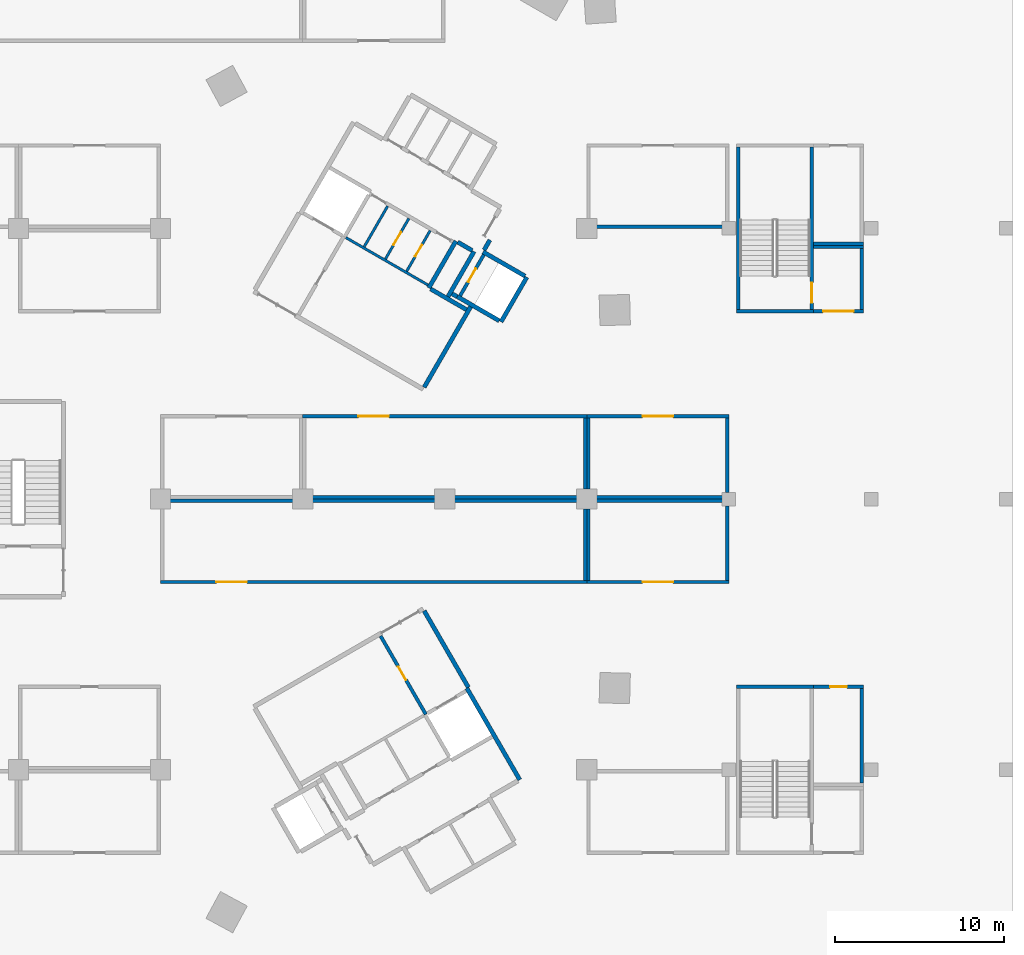
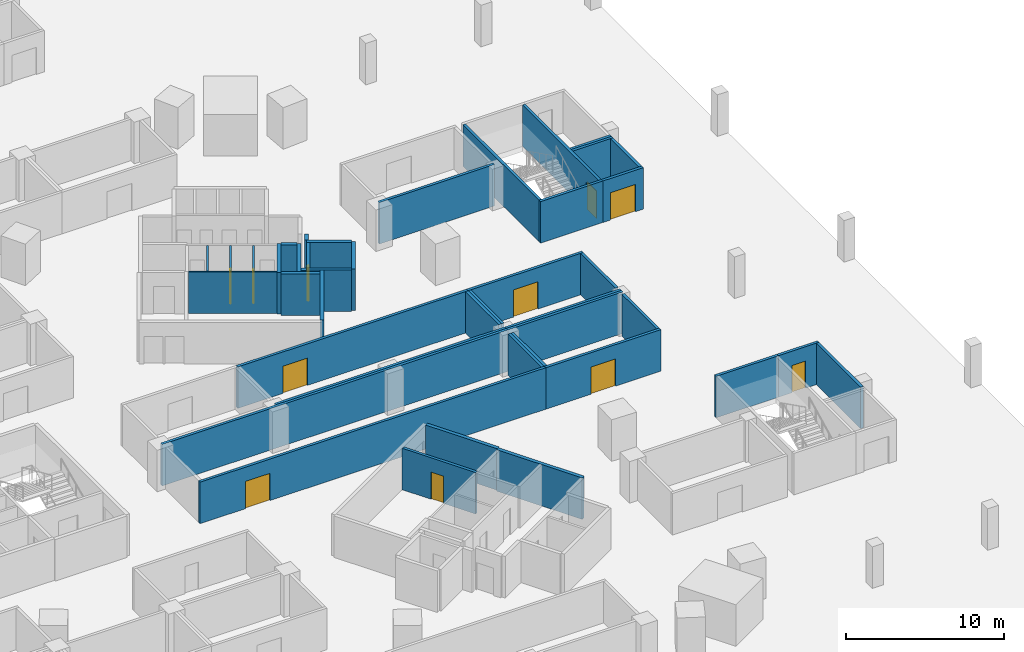
# One storey, part 13 of 37: 43 walls, 11 doors, 11 openings.
"""IFC4 building model written with IfcOpenShell, lengths in metres."""

import ifcopenshell
import ifcopenshell.guid

model = None  # the IFC model being written
_history = None  # IfcOwnerHistory: only IFC2X3 demands one
_inside = {}  # id of a spatial element -> (the spatial element, [elements in it])
_under = {}  # id of a project, library or spatial element -> (it, [spatial elements below it])
_declared = {}  # id of a project -> (the project, [libraries it declares])
_typed = {}  # id of a type object -> (the type object, [elements of that type])
_made_of = {}  # id of a material, layer set ... -> (it, [elements and type objects made of it])


def new_model(schema):
    """Start an empty IFC model of exactly this schema.

    Asked for "IFC4X3", IfcOpenShell would pick the latest addendum, in which some entities
    have other attributes; the version numbers below select the first issue.
    IFC2X3 requires an IfcOwnerHistory on every rooted entity: one is made here for all.
    """
    global model, _history
    if schema == "IFC4X3":
        model = ifcopenshell.file(schema_version=(4, 3, 0, 0))
    else:
        model = ifcopenshell.file(schema=schema)
    _inside.clear()
    _under.clear()
    _declared.clear()
    _typed.clear()
    _made_of.clear()
    _history = None
    if model.schema == "IFC2X3":
        org = make("IfcOrganization", Name="unknown")
        user = make(
            "IfcPersonAndOrganization",
            ThePerson=make("IfcPerson", FamilyName="unknown"),
            TheOrganization=org,
        )
        app = make(
            "IfcApplication",
            ApplicationDeveloper=org,
            Version="unknown",
            ApplicationFullName="unknown",
            ApplicationIdentifier="unknown",
        )
        _history = make(
            "IfcOwnerHistory",
            OwningUser=user,
            OwningApplication=app,
            ChangeAction="ADDED",
            CreationDate=0,
        )
    return model


def make(cls, **values):
    """One entity of the class cls with the attributes given. An attribute that is None is left unset."""
    return model.create_entity(
        cls, **{name: value for name, value in values.items() if value is not None}
    )


def rooted(cls, **values):
    """An entity with a GlobalId (a new one), such as an element, a storey or a relation."""
    return make(cls, GlobalId=ifcopenshell.guid.new(), OwnerHistory=_history, **values)


def si_unit(unit_type, name, prefix=None):
    """IfcSIUnit, for example si_unit("LENGTHUNIT", "METRE", prefix="MILLI")."""
    return make("IfcSIUnit", UnitType=unit_type, Prefix=prefix, Name=name)


def assignment(units):
    """IfcUnitAssignment: the units of a project."""
    return None if units is None else make("IfcUnitAssignment", Units=units)


def point(xyz):
    """IfcCartesianPoint."""
    return None if xyz is None else make("IfcCartesianPoint", Coordinates=xyz)


def direction(xyz):
    """IfcDirection."""
    return None if xyz is None else make("IfcDirection", DirectionRatios=xyz)


def frame(location, z_axis=None, x_axis=None):
    """IfcAxis2Placement3D, a coordinate frame: its origin and axes. An axis left out is left unset."""
    return make(
        "IfcAxis2Placement3D",
        Location=point(location),
        Axis=direction(z_axis),
        RefDirection=direction(x_axis),
    )


def frame_2d(location, x_axis=None):
    """IfcAxis2Placement2D, a coordinate frame in the plane: its origin and x axis."""
    return make(
        "IfcAxis2Placement2D", Location=point(location), RefDirection=direction(x_axis)
    )


def origin():
    """The frame at (0, 0, 0) with its axes left unset."""
    return frame((0.0, 0.0, 0.0))


def place(relative_to, where):
    """IfcLocalPlacement: puts the frame where relative to a parent placement (None: the world)."""
    return make(
        "IfcLocalPlacement", PlacementRelTo=relative_to, RelativePlacement=where
    )


def context(
    kind, dimensions, precision=None, world=None, true_north=None, identifier=None
):
    """IfcGeometricRepresentationContext, for example the 3D "Model" context."""
    return make(
        "IfcGeometricRepresentationContext",
        ContextIdentifier=identifier,
        ContextType=kind,
        CoordinateSpaceDimension=dimensions,
        Precision=precision,
        WorldCoordinateSystem=world,
        TrueNorth=true_north,
    )


def subcontext(parent, identifier, kind, view, scale=None):
    """IfcGeometricRepresentationSubContext, for example "Body" below "Model"."""
    return make(
        "IfcGeometricRepresentationSubContext",
        ContextIdentifier=identifier,
        ContextType=kind,
        ParentContext=parent,
        TargetScale=scale,
        TargetView=view,
    )


def project(units=None, contexts=None):
    """IfcProject with its units and contexts."""
    return rooted(
        "IfcProject",
        Name="project",
        RepresentationContexts=contexts,
        UnitsInContext=assignment(units),
    )


def spatial(cls, under=None, at=None, **own):
    """A site, building, storey or space (cls), placed at a placement, below another one or the project."""
    s = rooted(cls, ObjectPlacement=at, **own)
    if under is not None:
        _under.setdefault(under.id(), (under, []))[1].append(s)
    return s


def profile(cls, at=None, kind="AREA", **sizes):
    """A parametric profile (cls). Its sizes go by their IFC names, for example OverallWidth=200.0."""
    return make(cls, ProfileType=kind, Position=at, **sizes)


def rectangle(**sizes):
    """IfcRectangleProfileDef."""
    return profile("IfcRectangleProfileDef", **sizes)


def extrude(swept, where, along, depth):
    """IfcExtrudedAreaSolid: the profile swept, set in the frame where, extruded along a direction by depth."""
    return make(
        "IfcExtrudedAreaSolid",
        SweptArea=swept,
        Position=where,
        ExtrudedDirection=direction(along),
        Depth=depth,
    )


def shape(context_of_items, identifier, shape_type, items):
    """IfcShapeRepresentation: the items that make up one representation, for example the "Body"."""
    return make(
        "IfcShapeRepresentation",
        ContextOfItems=context_of_items,
        RepresentationIdentifier=identifier,
        RepresentationType=shape_type,
        Items=items,
    )


def material(Name=None, Category=None):
    """IfcMaterial."""
    return make("IfcMaterial", Name=Name, Category=Category)


def layer(
    of_material, thickness, ventilated=None, Name=None, Category=None, Priority=None
):
    """IfcMaterialLayer: one layer of a wall or slab, of a material (None: an air gap)."""
    return make(
        "IfcMaterialLayer",
        Material=of_material,
        LayerThickness=thickness,
        IsVentilated=ventilated,
        Name=Name,
        Category=Category,
        Priority=Priority,
    )


def layer_set(layers, Name=None):
    """IfcMaterialLayerSet."""
    return make("IfcMaterialLayerSet", MaterialLayers=layers, LayerSetName=Name)


def made_of(thing, what):
    """Note that an element or type object is made of a material, layer set ...; save() writes the relation."""
    if what is not None:
        _made_of.setdefault(what.id(), (what, []))[1].append(thing)
    return thing


def type_object(cls, material=None, **own):
    """A type object (cls), such as IfcWallType, which elements share."""
    return made_of(rooted(cls, **own), material)


def element(
    cls,
    number,
    at=None,
    inside=None,
    cuts=None,
    type_object=None,
    material=None,
    context=None,
    identifier="Body",
    shape_type=None,
    held_by="IfcProductDefinitionShape",
    body=None,
    shapes=None,
    **own,
):
    """One element of the class cls, such as IfcWall. Its Tag is "e" and its number.

    at: its placement. inside: the storey or other place that contains it. cuts: it is an
    opening in that element (IfcRelVoidsElement). A single representation is given by context,
    identifier, shape_type and body (its items); several are given by shapes. held_by: the class
    of the entity that holds the representations. save() writes the other relations.
    """
    e = rooted(cls, Tag="e%d" % number, ObjectPlacement=at, **own)
    if body is not None:
        shapes = [shape(context, identifier, shape_type, body)]
    if shapes is not None:
        e.Representation = make(held_by, Representations=shapes)
    if inside is not None:
        _inside.setdefault(inside.id(), (inside, []))[1].append(e)
    if cuts is not None:
        rooted(
            "IfcRelVoidsElement", RelatingBuildingElement=cuts, RelatedOpeningElement=e
        )
    if type_object is not None:
        _typed.setdefault(type_object.id(), (type_object, []))[1].append(e)
    return made_of(e, material)


def fill(opening, filler):
    """IfcRelFillsElement: the door or window that sits in an opening."""
    return rooted(
        "IfcRelFillsElement",
        RelatingOpeningElement=opening,
        RelatedBuildingElement=filler,
    )


def aggregate(whole, parts):
    """IfcRelAggregates: a whole, such as a stair, and the parts it consists of."""
    return rooted("IfcRelAggregates", RelatingObject=whole, RelatedObjects=parts)


def save(model, path):
    """Write the relations noted so far, then the file.

    IfcRelAggregates (storeys below a building ...), IfcRelContainedInSpatialStructure (elements
    in a storey), IfcRelDefinesByType, IfcRelAssociatesMaterial and IfcRelDeclares: one each for
    every whole, place, type object, material and project.
    """
    for whole, parts in _under.values():
        aggregate(whole, parts)
    for where, things in _inside.values():
        rooted(
            "IfcRelContainedInSpatialStructure",
            RelatedElements=things,
            RelatingStructure=where,
        )
    for kind, things in _typed.values():
        rooted("IfcRelDefinesByType", RelatedObjects=things, RelatingType=kind)
    for what, things in _made_of.values():
        rooted("IfcRelAssociatesMaterial", RelatedObjects=things, RelatingMaterial=what)
    for by, libraries in _declared.values():
        rooted("IfcRelDeclares", RelatingContext=by, RelatedDefinitions=libraries)
    model.write(path)


model = new_model("IFC4")

# Units and contexts
model_context = context("Model", 3, precision=1e-05, world=origin(), true_north=direction((0.0, 1.0)))
body_context = subcontext(model_context, "Body", "Model", "MODEL_VIEW")
ifc_project = project(units=[si_unit("LENGTHUNIT", "METRE"), si_unit("AREAUNIT", "SQUARE_METRE"), si_unit("VOLUMEUNIT", "CUBIC_METRE"), si_unit("PLANEANGLEUNIT", "RADIAN"), si_unit("MASSUNIT", "GRAM", prefix="KILO")], contexts=[model_context])

# Site, building, storey
site_placement = place(None, origin())
site = spatial("IfcSite", under=ifc_project, at=site_placement, CompositionType="ELEMENT")
building_placement = place(site_placement, origin())
building = spatial("IfcBuilding", under=site, at=building_placement, Name="Tamra Quay Hotel Tower", CompositionType="ELEMENT")
storey_placement = place(building_placement, frame((0.0, 0.0, -7.199951171875)))
storey = spatial("IfcBuildingStorey", under=building, at=storey_placement, Name="B2", CompositionType="ELEMENT", Elevation=-7.199951171875)

# Wall, opening, door
ifc_material_1 = material(Name="Blockwork", Category="masonry")
ifc_layer_1 = layer(ifc_material_1, 0.199951171875)
ifc_layer_set_1 = layer_set([ifc_layer_1], Name="Car park room wall 200")
wall_type_1 = type_object("IfcWallType", Name="Car park room wall 200", PredefinedType="PARTITIONING", material=ifc_layer_set_1)
wall_1_placement = place(storey_placement, frame((-5.10009765625, -4.89990234375, 0.0), z_axis=(0.0, 0.0, 1.0), x_axis=(1.0, 0.0, 0.0)))
wall_1 = element("IfcWall", 1, at=wall_1_placement, inside=storey, type_object=wall_type_1, Name="PW", PredefinedType="PARTITIONING", context=body_context, shape_type="SweptSolid", body=[
    extrude(rectangle(XDim=25.2001953125, YDim=0.199951171875, at=frame_2d((12.60009765625, 0.0))), origin(), (0.0, 0.0, 1.0), 3.199951171875),
])
opening_1_placement = place(wall_1_placement, frame((3.300048828125, 0.0, 0.0)))
opening_1 = element("IfcOpeningElement", 2, at=opening_1_placement, cuts=wall_1, Name="Opening PD2", PredefinedType="OPENING", context=body_context, shape_type="SweptSolid", body=[
    extrude(rectangle(XDim=1.800048828125, YDim=2.10009765625, at=frame_2d((0.89990234375, 1.050048828125))), frame((0.0, 0.10986328125, 0.0), z_axis=(0.0, -1.0, 0.0), x_axis=(1.0, 0.0, 0.0)), (0.0, 0.0, 1.0), 0.219970703125),
])
ifc_material_2 = material(Name="Plant door 1800 x 2100")
door_type_1 = type_object("IfcDoorType", Name="Plant door 1800 x 2100", OperationType="DOUBLE_DOOR_SINGLE_SWING", PredefinedType="DOOR", material=ifc_material_2)
door_1_placement = place(opening_1_placement, origin())
door_1 = element("IfcDoor", 3, at=door_1_placement, inside=storey, type_object=door_type_1, Name="PD2", OperationType="DOUBLE_DOOR_SINGLE_SWING", OverallHeight=2.10009765625, OverallWidth=1.800048828125, PredefinedType="DOOR", context=body_context, shape_type="SweptSolid", body=[
    extrude(rectangle(XDim=1.800048828125, YDim=2.10009765625, at=frame_2d((0.89990234375, 1.050048828125))), frame((0.0, 0.02490234375, 0.0), z_axis=(0.0, -1.0, 0.0), x_axis=(1.0, 0.0, 0.0)), (0.0, 0.0, 1.0), 0.050048828125),
])
fill(opening_1, door_1)

# Walls
wall_2_placement = place(storey_placement, frame((-5.10009765625, -0.10009765625, 0.0), z_axis=(0.0, 0.0, 1.0), x_axis=(1.0, 0.0, 0.0)))
element("IfcWall", 4, at=wall_2_placement, inside=storey, type_object=wall_type_1, Name="PW", PredefinedType="PARTITIONING", context=body_context, shape_type="SweptSolid", body=[
    extrude(rectangle(XDim=25.2001953125, YDim=0.199951171875, at=frame_2d((12.60009765625, 0.0))), origin(), (0.0, 0.0, 1.0), 3.199951171875),
])
wall_3_placement = place(storey_placement, frame((20.0, -4.800048828125, 0.0), z_axis=(0.0, 0.0, 1.0), x_axis=(0.0, 1.0, 0.0)))
element("IfcWall", 5, at=wall_3_placement, inside=storey, type_object=wall_type_1, Name="PW", PredefinedType="PARTITIONING", context=body_context, shape_type="SweptSolid", body=[
    extrude(rectangle(XDim=4.199951171875, YDim=0.199951171875, at=frame_2d((2.10009765625, 0.0))), origin(), (0.0, 0.0, 1.0), 3.199951171875),
])

# Wall, opening, door
wall_4_placement = place(storey_placement, frame((20.10009765625, -4.89990234375, 0.0), z_axis=(0.0, 0.0, 1.0), x_axis=(1.0, 0.0, 0.0)))
wall_4 = element("IfcWall", 6, at=wall_4_placement, inside=storey, type_object=wall_type_1, Name="PW", PredefinedType="PARTITIONING", context=body_context, shape_type="SweptSolid", body=[
    extrude(rectangle(XDim=8.39990234375, YDim=0.199951171875, at=frame_2d((4.199951171875, 0.0))), origin(), (0.0, 0.0, 1.0), 3.199951171875),
])
opening_2_placement = place(wall_4_placement, frame((3.300048828125, 0.0, 0.0)))
opening_2 = element("IfcOpeningElement", 7, at=opening_2_placement, cuts=wall_4, Name="Opening PD2", PredefinedType="OPENING", context=body_context, shape_type="SweptSolid", body=[
    extrude(rectangle(XDim=1.800048828125, YDim=2.10009765625, at=frame_2d((0.89990234375, 1.050048828125))), frame((0.0, 0.10986328125, 0.0), z_axis=(0.0, -1.0, 0.0), x_axis=(1.0, 0.0, 0.0)), (0.0, 0.0, 1.0), 0.219970703125),
])
door_2_placement = place(opening_2_placement, origin())
door_2 = element("IfcDoor", 8, at=door_2_placement, inside=storey, type_object=door_type_1, Name="PD2", OperationType="DOUBLE_DOOR_SINGLE_SWING", OverallHeight=2.10009765625, OverallWidth=1.800048828125, PredefinedType="DOOR", context=body_context, shape_type="SweptSolid", body=[
    extrude(rectangle(XDim=1.800048828125, YDim=2.10009765625, at=frame_2d((0.89990234375, 1.050048828125))), frame((0.0, 0.02490234375, 0.0), z_axis=(0.0, -1.0, 0.0), x_axis=(1.0, 0.0, 0.0)), (0.0, 0.0, 1.0), 0.050048828125),
])
fill(opening_2, door_2)

# Walls
wall_5_placement = place(storey_placement, frame((20.10009765625, -0.10009765625, 0.0), z_axis=(0.0, 0.0, 1.0), x_axis=(1.0, 0.0, 0.0)))
element("IfcWall", 9, at=wall_5_placement, inside=storey, type_object=wall_type_1, Name="PW", PredefinedType="PARTITIONING", context=body_context, shape_type="SweptSolid", body=[
    extrude(rectangle(XDim=8.39990234375, YDim=0.199951171875, at=frame_2d((4.199951171875, 0.0))), origin(), (0.0, 0.0, 1.0), 3.199951171875),
])
wall_6_placement = place(storey_placement, frame((20.199951171875, -4.800048828125, 0.0), z_axis=(0.0, 0.0, 1.0), x_axis=(0.0, 1.0, 0.0)))
element("IfcWall", 10, at=wall_6_placement, inside=storey, type_object=wall_type_1, Name="PW", PredefinedType="PARTITIONING", context=body_context, shape_type="SweptSolid", body=[
    extrude(rectangle(XDim=4.199951171875, YDim=0.199951171875, at=frame_2d((2.10009765625, 0.0))), origin(), (0.0, 0.0, 1.0), 3.199951171875),
])
wall_7_placement = place(storey_placement, frame((28.39990234375, -4.800048828125, 0.0), z_axis=(0.0, 0.0, 1.0), x_axis=(0.0, 1.0, 0.0)))
element("IfcWall", 11, at=wall_7_placement, inside=storey, type_object=wall_type_1, Name="PW", PredefinedType="PARTITIONING", context=body_context, shape_type="SweptSolid", body=[
    extrude(rectangle(XDim=4.400146484375, YDim=0.199951171875, at=frame_2d((2.2001953125, 0.0))), origin(), (0.0, 0.0, 1.0), 3.199951171875),
])
wall_8_placement = place(storey_placement, frame((3.300048828125, 0.10009765625, 0.0), z_axis=(0.0, 0.0, 1.0), x_axis=(1.0, 0.0, 0.0)))
element("IfcWall", 12, at=wall_8_placement, inside=storey, type_object=wall_type_1, Name="PW", PredefinedType="PARTITIONING", context=body_context, shape_type="SweptSolid", body=[
    extrude(rectangle(XDim=16.800048828125, YDim=0.199951171875, at=frame_2d((8.39990234375, 0.0))), origin(), (0.0, 0.0, 1.0), 3.199951171875),
])

# Wall, opening, door
wall_9_placement = place(storey_placement, frame((3.300048828125, 4.89990234375, 0.0), z_axis=(0.0, 0.0, 1.0), x_axis=(1.0, 0.0, 0.0)))
wall_9 = element("IfcWall", 13, at=wall_9_placement, inside=storey, type_object=wall_type_1, Name="PW", PredefinedType="PARTITIONING", context=body_context, shape_type="SweptSolid", body=[
    extrude(rectangle(XDim=16.800048828125, YDim=0.199951171875, at=frame_2d((8.39990234375, 0.0))), origin(), (0.0, 0.0, 1.0), 3.199951171875),
])
opening_3_placement = place(wall_9_placement, frame((3.300048828125, 0.0, 0.0)))
opening_3 = element("IfcOpeningElement", 14, at=opening_3_placement, cuts=wall_9, Name="Opening PD2", PredefinedType="OPENING", context=body_context, shape_type="SweptSolid", body=[
    extrude(rectangle(XDim=1.800048828125, YDim=2.10009765625, at=frame_2d((0.89990234375, 1.050048828125))), frame((0.0, 0.10986328125, 0.0), z_axis=(0.0, -1.0, 0.0), x_axis=(1.0, 0.0, 0.0)), (0.0, 0.0, 1.0), 0.219970703125),
])
door_3_placement = place(opening_3_placement, origin())
door_3 = element("IfcDoor", 15, at=door_3_placement, inside=storey, type_object=door_type_1, Name="PD2", OperationType="DOUBLE_DOOR_SINGLE_SWING", OverallHeight=2.10009765625, OverallWidth=1.800048828125, PredefinedType="DOOR", context=body_context, shape_type="SweptSolid", body=[
    extrude(rectangle(XDim=1.800048828125, YDim=2.10009765625, at=frame_2d((0.89990234375, 1.050048828125))), frame((0.0, 0.02490234375, 0.0), z_axis=(0.0, -1.0, 0.0), x_axis=(1.0, 0.0, 0.0)), (0.0, 0.0, 1.0), 0.050048828125),
])
fill(opening_3, door_3)

# Walls
wall_10_placement = place(storey_placement, frame((20.0, 0.60009765625, 0.0), z_axis=(0.0, 0.0, 1.0), x_axis=(0.0, 1.0, 0.0)))
element("IfcWall", 16, at=wall_10_placement, inside=storey, type_object=wall_type_1, Name="PW", PredefinedType="PARTITIONING", context=body_context, shape_type="SweptSolid", body=[
    extrude(rectangle(XDim=4.199951171875, YDim=0.199951171875, at=frame_2d((2.10009765625, 0.0))), origin(), (0.0, 0.0, 1.0), 3.199951171875),
])
wall_11_placement = place(storey_placement, frame((20.10009765625, 0.10009765625, 0.0), z_axis=(0.0, 0.0, 1.0), x_axis=(1.0, 0.0, 0.0)))
element("IfcWall", 17, at=wall_11_placement, inside=storey, type_object=wall_type_1, Name="PW", PredefinedType="PARTITIONING", context=body_context, shape_type="SweptSolid", body=[
    extrude(rectangle(XDim=8.39990234375, YDim=0.199951171875, at=frame_2d((4.199951171875, 0.0))), origin(), (0.0, 0.0, 1.0), 3.199951171875),
])

# Wall, opening, door
wall_12_placement = place(storey_placement, frame((20.10009765625, 4.89990234375, 0.0), z_axis=(0.0, 0.0, 1.0), x_axis=(1.0, 0.0, 0.0)))
wall_12 = element("IfcWall", 18, at=wall_12_placement, inside=storey, type_object=wall_type_1, Name="PW", PredefinedType="PARTITIONING", context=body_context, shape_type="SweptSolid", body=[
    extrude(rectangle(XDim=8.39990234375, YDim=0.199951171875, at=frame_2d((4.199951171875, 0.0))), origin(), (0.0, 0.0, 1.0), 3.199951171875),
])
opening_4_placement = place(wall_12_placement, frame((3.300048828125, 0.0, 0.0)))
opening_4 = element("IfcOpeningElement", 19, at=opening_4_placement, cuts=wall_12, Name="Opening PD2", PredefinedType="OPENING", context=body_context, shape_type="SweptSolid", body=[
    extrude(rectangle(XDim=1.800048828125, YDim=2.10009765625, at=frame_2d((0.89990234375, 1.050048828125))), frame((0.0, 0.10986328125, 0.0), z_axis=(0.0, -1.0, 0.0), x_axis=(1.0, 0.0, 0.0)), (0.0, 0.0, 1.0), 0.219970703125),
])
door_4_placement = place(opening_4_placement, origin())
door_4 = element("IfcDoor", 20, at=door_4_placement, inside=storey, type_object=door_type_1, Name="PD2", OperationType="DOUBLE_DOOR_SINGLE_SWING", OverallHeight=2.10009765625, OverallWidth=1.800048828125, PredefinedType="DOOR", context=body_context, shape_type="SweptSolid", body=[
    extrude(rectangle(XDim=1.800048828125, YDim=2.10009765625, at=frame_2d((0.89990234375, 1.050048828125))), frame((0.0, 0.02490234375, 0.0), z_axis=(0.0, -1.0, 0.0), x_axis=(1.0, 0.0, 0.0)), (0.0, 0.0, 1.0), 0.050048828125),
])
fill(opening_4, door_4)

# Walls
wall_13_placement = place(storey_placement, frame((20.199951171875, 0.60009765625, 0.0), z_axis=(0.0, 0.0, 1.0), x_axis=(0.0, 1.0, 0.0)))
element("IfcWall", 21, at=wall_13_placement, inside=storey, type_object=wall_type_1, Name="PW", PredefinedType="PARTITIONING", context=body_context, shape_type="SweptSolid", body=[
    extrude(rectangle(XDim=4.199951171875, YDim=0.199951171875, at=frame_2d((2.10009765625, 0.0))), origin(), (0.0, 0.0, 1.0), 3.199951171875),
])
wall_14_placement = place(storey_placement, frame((28.39990234375, 0.39990234375, 0.0), z_axis=(0.0, 0.0, 1.0), x_axis=(0.0, 1.0, 0.0)))
element("IfcWall", 22, at=wall_14_placement, inside=storey, type_object=wall_type_1, Name="PW", PredefinedType="PARTITIONING", context=body_context, shape_type="SweptSolid", body=[
    extrude(rectangle(XDim=4.400146484375, YDim=0.199951171875, at=frame_2d((2.2001953125, 0.0))), origin(), (0.0, 0.0, 1.0), 3.199951171875),
])
wall_15_placement = place(storey_placement, frame((20.10009765625, 16.10009765625, 0.0), z_axis=(0.0, 0.0, 1.0), x_axis=(1.0, 0.0, 0.0)))
element("IfcWall", 23, at=wall_15_placement, inside=storey, type_object=wall_type_1, Name="PW", PredefinedType="PARTITIONING", context=body_context, shape_type="SweptSolid", body=[
    extrude(rectangle(XDim=8.39990234375, YDim=0.199951171875, at=frame_2d((4.199951171875, 0.0))), origin(), (0.0, 0.0, 1.0), 3.199951171875),
])

# Wall, opening, door
wall_16_placement = place(storey_placement, frame((33.5, -11.10009765625, 0.0), z_axis=(0.0, 0.0, 1.0), x_axis=(1.0, 0.0, 0.0)))
wall_16 = element("IfcWall", 24, at=wall_16_placement, inside=storey, type_object=wall_type_1, Name="PW", PredefinedType="PARTITIONING", context=body_context, shape_type="SweptSolid", body=[
    extrude(rectangle(XDim=2.949951171875, YDim=0.199951171875, at=frame_2d((1.47509765625, 0.0))), origin(), (0.0, 0.0, 1.0), 3.199951171875),
])
opening_5_placement = place(wall_16_placement, frame((0.97509765625, 0.0, 0.0)))
opening_5 = element("IfcOpeningElement", 25, at=opening_5_placement, cuts=wall_16, Name="Opening PD1", PredefinedType="OPENING", context=body_context, shape_type="SweptSolid", body=[
    extrude(rectangle(XDim=1.0, YDim=2.10009765625, at=frame_2d((0.5, 1.050048828125))), frame((0.0, 0.10986328125, 0.0), z_axis=(0.0, -1.0, 0.0), x_axis=(1.0, 0.0, 0.0)), (0.0, 0.0, 1.0), 0.219970703125),
])
ifc_material_3 = material(Name="Car park door 1000 x 2100")
door_type_2 = type_object("IfcDoorType", Name="Car park door 1000 x 2100", OperationType="NOTDEFINED", PredefinedType="DOOR", material=ifc_material_3)
door_5_placement = place(opening_5_placement, origin())
door_5 = element("IfcDoor", 26, at=door_5_placement, inside=storey, type_object=door_type_2, Name="PD1", OperationType="SINGLE_SWING_LEFT", OverallHeight=2.10009765625, OverallWidth=1.0, PredefinedType="DOOR", context=body_context, shape_type="SweptSolid", body=[
    extrude(rectangle(XDim=1.0, YDim=2.10009765625, at=frame_2d((0.5, 1.050048828125))), frame((0.0, 0.02490234375, 0.0), z_axis=(0.0, -1.0, 0.0), x_axis=(1.0, 0.0, 0.0)), (0.0, 0.0, 1.0), 0.050048828125),
])
fill(opening_5, door_5)

# Wall
wall_17_placement = place(storey_placement, frame((36.35009765625, -16.800048828125, 0.0), z_axis=(0.0, 0.0, 1.0), x_axis=(0.0, 1.0, 0.0)))
element("IfcWall", 27, at=wall_17_placement, inside=storey, type_object=wall_type_1, Name="PW", PredefinedType="PARTITIONING", context=body_context, shape_type="SweptSolid", body=[
    extrude(rectangle(XDim=5.60009765625, YDim=0.199951171875, at=frame_2d((2.800048828125, 0.0))), origin(), (0.0, 0.0, 1.0), 3.199951171875),
])

# Wall, opening, door
wall_18_placement = place(storey_placement, frame((33.5, 11.10009765625, 0.0), z_axis=(0.0, 0.0, 1.0), x_axis=(1.0, 0.0, 0.0)))
wall_18 = element("IfcWall", 28, at=wall_18_placement, inside=storey, type_object=wall_type_1, Name="PW", PredefinedType="PARTITIONING", context=body_context, shape_type="SweptSolid", body=[
    extrude(rectangle(XDim=2.949951171875, YDim=0.199951171875, at=frame_2d((1.47509765625, 0.0))), origin(), (0.0, 0.0, 1.0), 3.199951171875),
])
opening_6_placement = place(wall_18_placement, frame((0.574951171875, 0.0, 0.0)))
opening_6 = element("IfcOpeningElement", 29, at=opening_6_placement, cuts=wall_18, Name="Opening PD2", PredefinedType="OPENING", context=body_context, shape_type="SweptSolid", body=[
    extrude(rectangle(XDim=1.800048828125, YDim=2.10009765625, at=frame_2d((0.89990234375, 1.050048828125))), frame((0.0, 0.10986328125, 0.0), z_axis=(0.0, -1.0, 0.0), x_axis=(1.0, 0.0, 0.0)), (0.0, 0.0, 1.0), 0.219970703125),
])
door_6_placement = place(opening_6_placement, origin())
door_6 = element("IfcDoor", 30, at=door_6_placement, inside=storey, type_object=door_type_1, Name="PD2", OperationType="DOUBLE_DOOR_SINGLE_SWING", OverallHeight=2.10009765625, OverallWidth=1.800048828125, PredefinedType="DOOR", context=body_context, shape_type="SweptSolid", body=[
    extrude(rectangle(XDim=1.800048828125, YDim=2.10009765625, at=frame_2d((0.89990234375, 1.050048828125))), frame((0.0, 0.02490234375, 0.0), z_axis=(0.0, -1.0, 0.0), x_axis=(1.0, 0.0, 0.0)), (0.0, 0.0, 1.0), 0.050048828125),
])
fill(opening_6, door_6)

# Walls
wall_19_placement = place(storey_placement, frame((33.5, 14.89990234375, 0.0), z_axis=(0.0, 0.0, 1.0), x_axis=(1.0, 0.0, 0.0)))
element("IfcWall", 31, at=wall_19_placement, inside=storey, type_object=wall_type_1, Name="PW", PredefinedType="PARTITIONING", context=body_context, shape_type="SweptSolid", body=[
    extrude(rectangle(XDim=2.949951171875, YDim=0.199951171875, at=frame_2d((1.47509765625, 0.0))), origin(), (0.0, 0.0, 1.0), 3.199951171875),
])
wall_20_placement = place(storey_placement, frame((36.35009765625, 11.199951171875, 0.0), z_axis=(0.0, 0.0, 1.0), x_axis=(0.0, 1.0, 0.0)))
element("IfcWall", 32, at=wall_20_placement, inside=storey, type_object=wall_type_1, Name="PW", PredefinedType="PARTITIONING", context=body_context, shape_type="SweptSolid", body=[
    extrude(rectangle(XDim=3.60009765625, YDim=0.199951171875, at=frame_2d((1.800048828125, 0.0))), origin(), (0.0, 0.0, 1.0), 3.199951171875),
])
wall_21_placement = place(storey_placement, frame((33.5, 15.10009765625, 0.0), z_axis=(0.0, 0.0, 1.0), x_axis=(1.0, 0.0, 0.0)))
element("IfcWall", 33, at=wall_21_placement, inside=storey, type_object=wall_type_1, Name="PW", PredefinedType="PARTITIONING", context=body_context, shape_type="SweptSolid", body=[
    extrude(rectangle(XDim=2.949951171875, YDim=0.199951171875, at=frame_2d((1.47509765625, 0.0))), origin(), (0.0, 0.0, 1.0), 3.199951171875),
])

# Wall, opening, door
ifc_material_4 = material(Name="Concrete M70", Category="concrete")
ifc_layer_2 = layer(ifc_material_4, 0.199951171875)
ifc_layer_set_2 = layer_set([ifc_layer_2], Name="Concrete M70 core wall 200")
wall_type_2 = type_object("IfcWallType", Name="Concrete M70 core wall 200", PredefinedType="SHEAR", material=ifc_layer_set_2)
wall_22_placement = place(storey_placement, frame((14.0078125, 14.442138671875, 0.0), z_axis=(0.0, 0.0, 1.0), x_axis=(-0.499986818241, -0.866033014143, 0.0)))
wall_22 = element("IfcWall", 34, at=wall_22_placement, inside=storey, type_object=wall_type_2, Name="CW2", PredefinedType="SHEAR", context=body_context, shape_type="SweptSolid", body=[
    extrude(rectangle(XDim=2.7978515625, YDim=0.199951171875, at=frame_2d((1.39892578125, 0.0))), origin(), (0.0, 0.0, 1.0), 3.199951171875),
])
opening_7_placement = place(wall_22_placement, frame((0.948974609375, 0.0, 0.0)))
opening_7 = element("IfcOpeningElement", 35, at=opening_7_placement, cuts=wall_22, Name="Opening D1", PredefinedType="OPENING", context=body_context, shape_type="SweptSolid", body=[
    extrude(rectangle(XDim=0.89990234375, YDim=2.10009765625, at=frame_2d((0.449951171875, 1.050048828125))), frame((0.0, 0.10986328125, 0.0), z_axis=(0.0, -1.0, 0.0), x_axis=(1.0, 0.0, 0.0)), (0.0, 0.0, 1.0), 0.219970703125),
])
ifc_material_5 = material(Name="Core door D1 900x2100 LH")
door_type_3 = type_object("IfcDoorType", Name="Core door D1 900x2100 LH", OperationType="NOTDEFINED", PredefinedType="DOOR", material=ifc_material_5)
door_7_placement = place(opening_7_placement, origin())
door_7 = element("IfcDoor", 36, at=door_7_placement, inside=storey, type_object=door_type_3, Name="D1", OperationType="SINGLE_SWING_LEFT", OverallHeight=2.10009765625, OverallWidth=0.89990234375, PredefinedType="DOOR", context=body_context, shape_type="SweptSolid", body=[
    extrude(rectangle(XDim=0.89990234375, YDim=2.10009765625, at=frame_2d((0.449951171875, 1.050048828125))), frame((0.0, 0.02490234375, 0.0), z_axis=(0.0, -1.0, 0.0), x_axis=(1.0, 0.0, 0.0)), (0.0, 0.0, 1.0), 0.050048828125),
])
fill(opening_7, door_7)

wall_23_placement = place(storey_placement, frame((7.906494140625, -8.094482421875, 0.0), z_axis=(0.0, 0.0, 1.0), x_axis=(0.500012186204, -0.866018367962, 0.0)))
wall_23 = element("IfcWall", 37, at=wall_23_placement, inside=storey, type_object=wall_type_2, Name="CW2", PredefinedType="SHEAR", context=body_context, shape_type="SweptSolid", body=[
    extrude(rectangle(XDim=5.348876953125, YDim=0.199951171875, at=frame_2d((2.67431640625, 0.0))), origin(), (0.0, 0.0, 1.0), 3.199951171875),
])
opening_8_placement = place(wall_23_placement, frame((2.09912109375, 0.0, 0.0)))
opening_8 = element("IfcOpeningElement", 38, at=opening_8_placement, cuts=wall_23, Name="Opening D2", PredefinedType="OPENING", context=body_context, shape_type="SweptSolid", body=[
    extrude(rectangle(XDim=0.89990234375, YDim=2.10009765625, at=frame_2d((0.449951171875, 1.050048828125))), frame((0.0, 0.10986328125, 0.0), z_axis=(0.0, -1.0, 0.0), x_axis=(1.0, 0.0, 0.0)), (0.0, 0.0, 1.0), 0.219970703125),
])
ifc_material_6 = material(Name="Core door D2 900x2100 RH")
door_type_4 = type_object("IfcDoorType", Name="Core door D2 900x2100 RH", OperationType="NOTDEFINED", PredefinedType="DOOR", material=ifc_material_6)
door_8_placement = place(opening_8_placement, origin())
door_8 = element("IfcDoor", 39, at=door_8_placement, inside=storey, type_object=door_type_4, Name="D2", OperationType="SINGLE_SWING_RIGHT", OverallHeight=2.10009765625, OverallWidth=0.89990234375, PredefinedType="DOOR", context=body_context, shape_type="SweptSolid", body=[
    extrude(rectangle(XDim=0.89990234375, YDim=2.10009765625, at=frame_2d((0.449951171875, 1.050048828125))), frame((0.0, 0.02490234375, 0.0), z_axis=(0.0, -1.0, 0.0), x_axis=(1.0, 0.0, 0.0)), (0.0, 0.0, 1.0), 0.050048828125),
])
fill(opening_8, door_8)

# Walls
ifc_layer_3 = layer(ifc_material_4, 0.25)
ifc_layer_set_3 = layer_set([ifc_layer_3], Name="Concrete M70 core wall 250")
wall_type_3 = type_object("IfcWallType", Name="Concrete M70 core wall 250", PredefinedType="SHEAR", material=ifc_layer_set_3)
wall_24_placement = place(storey_placement, frame((13.237548828125, 11.3779296875, 0.0), z_axis=(0.0, 0.0, 1.0), x_axis=(-0.500008851346, -0.866020293397, 0.0)))
element("IfcWall", 40, at=wall_24_placement, inside=storey, type_object=wall_type_3, Name="CW1", PredefinedType="SHEAR", context=body_context, shape_type="SweptSolid", body=[
    extrude(rectangle(XDim=5.509765625, YDim=0.25, at=frame_2d((2.7548828125, 0.0))), origin(), (0.0, 0.0, 1.0), 3.199951171875),
])
wall_25_placement = place(storey_placement, frame((12.356689453125, 15.25244140625, 0.0), z_axis=(0.0, 0.0, 1.0), x_axis=(-0.500028443584, -0.866008981251, 0.0)))
element("IfcWall", 41, at=wall_25_placement, inside=storey, type_object=wall_type_3, Name="CW1", PredefinedType="SHEAR", context=body_context, shape_type="SweptSolid", body=[
    extrude(rectangle(XDim=3.199951171875, YDim=0.25, at=frame_2d((1.60009765625, 0.0))), origin(), (0.0, 0.0, 1.0), 3.199951171875),
])
wall_26_placement = place(storey_placement, frame((16.552001953125, 13.118896484375, 0.0), z_axis=(0.0, 0.0, 1.0), x_axis=(-0.499978833458, -0.866037623948, 0.0)))
element("IfcWall", 42, at=wall_26_placement, inside=storey, type_object=wall_type_3, Name="CW1", PredefinedType="SHEAR", context=body_context, shape_type="SweptSolid", body=[
    extrude(rectangle(XDim=3.050048828125, YDim=0.25, at=frame_2d((1.52490234375, 0.0))), origin(), (0.0, 0.0, 1.0), 3.199951171875),
])
wall_27_placement = place(storey_placement, frame((14.91845703125, 10.540283203125, 0.0), z_axis=(0.0, 0.0, 1.0), x_axis=(-0.866063538972, 0.499933942099, 0.0)))
element("IfcWall", 43, at=wall_27_placement, inside=storey, type_object=wall_type_3, Name="CW1", PredefinedType="SHEAR", context=body_context, shape_type="SweptSolid", body=[
    extrude(rectangle(XDim=2.86474609375, YDim=0.25, at=frame_2d((1.432373046875, 0.0))), origin(), (0.0, 0.0, 1.0), 3.199951171875),
])
wall_28_placement = place(storey_placement, frame((13.962646484375, 14.61376953125, 0.0), z_axis=(0.0, 0.0, 1.0), x_axis=(0.866042235819, -0.499970844928, 0.0)))
element("IfcWall", 44, at=wall_28_placement, inside=storey, type_object=wall_type_3, Name="CW1", PredefinedType="SHEAR", context=body_context, shape_type="SweptSolid", body=[
    extrude(rectangle(XDim=2.864501953125, YDim=0.25, at=frame_2d((1.43212890625, 0.0))), origin(), (0.0, 0.0, 1.0), 3.199951171875),
])
wall_29_placement = place(storey_placement, frame((11.887939453125, 11.960693359375, 0.0), z_axis=(0.0, 0.0, 1.0), x_axis=(0.500003324108, 0.866023484601, 0.0)))
element("IfcWall", 45, at=wall_29_placement, inside=storey, type_object=wall_type_3, Name="CW1", PredefinedType="SHEAR", context=body_context, shape_type="SweptSolid", body=[
    extrude(rectangle(XDim=3.0849609375, YDim=0.25, at=frame_2d((1.54248046875, 0.0))), origin(), (0.0, 0.0, 1.0), 3.199951171875),
])
wall_30_placement = place(storey_placement, frame((10.865234375, 12.41845703125, 0.0), z_axis=(0.0, 0.0, 1.0), x_axis=(0.866026229868, -0.499998569178, 0.0)))
element("IfcWall", 46, at=wall_30_placement, inside=storey, type_object=wall_type_3, Name="CW1", PredefinedType="SHEAR", context=body_context, shape_type="SweptSolid", body=[
    extrude(rectangle(XDim=2.44921875, YDim=0.25, at=frame_2d((1.224609375, 0.0))), origin(), (0.0, 0.0, 1.0), 3.199951171875),
])
wall_31_placement = place(storey_placement, frame((13.322021484375, 14.695068359375, 0.0), z_axis=(0.0, 0.0, 1.0), x_axis=(-0.866017078145, 0.500014420154, 0.0)))
element("IfcWall", 47, at=wall_31_placement, inside=storey, type_object=wall_type_3, Name="CW1", PredefinedType="SHEAR", context=body_context, shape_type="SweptSolid", body=[
    extrude(rectangle(XDim=0.9892578125, YDim=0.25, at=frame_2d((0.49462890625, 0.0))), origin(), (0.0, 0.0, 1.0), 3.199951171875),
])
wall_32_placement = place(storey_placement, frame((14.36767578125, 15.3154296875, 0.0), z_axis=(0.0, 0.0, 1.0), x_axis=(-0.499897359611, -0.866084655132, 0.0)))
element("IfcWall", 48, at=wall_32_placement, inside=storey, type_object=wall_type_3, Name="CW1", PredefinedType="SHEAR", context=body_context, shape_type="SweptSolid", body=[
    extrude(rectangle(XDim=0.684814453125, YDim=0.25, at=frame_2d((0.34228515625, 0.0))), origin(), (0.0, 0.0, 1.0), 3.199951171875),
])
wall_33_placement = place(storey_placement, frame((12.4326171875, 11.9638671875, 0.0), z_axis=(0.0, 0.0, 1.0), x_axis=(-0.866055875208, 0.499947218231, 0.0)))
element("IfcWall", 49, at=wall_33_placement, inside=storey, type_object=wall_type_3, Name="CW1", PredefinedType="SHEAR", context=body_context, shape_type="SweptSolid", body=[
    extrude(rectangle(XDim=0.3447265625, YDim=0.25, at=frame_2d((0.17236328125, 0.0))), origin(), (0.0, 0.0, 1.0), 3.199951171875),
])
wall_34_placement = place(storey_placement, frame((13.00830078125, -11.18115234375, 0.0), z_axis=(0.0, 0.0, 1.0), x_axis=(0.500004234368, -0.866022959057, 0.0)))
element("IfcWall", 50, at=wall_34_placement, inside=storey, type_object=wall_type_3, Name="CW1", PredefinedType="SHEAR", context=body_context, shape_type="SweptSolid", body=[
    extrude(rectangle(XDim=6.25, YDim=0.25, at=frame_2d((3.125, 0.0))), origin(), (0.0, 0.0, 1.0), 3.199951171875),
])
wall_35_placement = place(storey_placement, frame((10.482666015625, -6.6064453125, 0.0), z_axis=(0.0, 0.0, 1.0), x_axis=(0.49999885962, -0.866026062182, 0.0)))
element("IfcWall", 51, at=wall_35_placement, inside=storey, type_object=wall_type_3, Name="CW1", PredefinedType="SHEAR", context=body_context, shape_type="SweptSolid", body=[
    extrude(rectangle(XDim=5.224609375, YDim=0.25, at=frame_2d((2.6123046875, 0.0))), origin(), (0.0, 0.0, 1.0), 3.199951171875),
])
ifc_layer_4 = layer(ifc_material_4, 0.199951171875)
ifc_layer_set_4 = layer_set([ifc_layer_4], Name="Concrete M70 stair enclosure wall 200")
wall_type_4 = type_object("IfcWallType", Name="Concrete M70 stair enclosure wall 200", PredefinedType="SOLIDWALL", material=ifc_layer_set_4)
wall_36_placement = place(storey_placement, frame((28.949951171875, -11.10009765625, 0.0), z_axis=(0.0, 0.0, 1.0), x_axis=(1.0, 0.0, 0.0)))
element("IfcWall", 52, at=wall_36_placement, inside=storey, type_object=wall_type_4, Name="SEW", PredefinedType="SOLIDWALL", context=body_context, shape_type="SweptSolid", body=[
    extrude(rectangle(XDim=4.550048828125, YDim=0.199951171875, at=frame_2d((2.27490234375, 0.0))), origin(), (0.0, 0.0, 1.0), 3.199951171875),
])
wall_37_placement = place(storey_placement, frame((29.050048828125, 11.199951171875, 0.0), z_axis=(0.0, 0.0, 1.0), x_axis=(0.0, 1.0, 0.0)))
element("IfcWall", 53, at=wall_37_placement, inside=storey, type_object=wall_type_4, Name="SEW", PredefinedType="SOLIDWALL", context=body_context, shape_type="SweptSolid", body=[
    extrude(rectangle(XDim=9.60009765625, YDim=0.199951171875, at=frame_2d((4.800048828125, 0.0))), origin(), (0.0, 0.0, 1.0), 3.199951171875),
])

# Wall, opening, door
wall_38_placement = place(storey_placement, frame((33.39990234375, 11.199951171875, 0.0), z_axis=(0.0, 0.0, 1.0), x_axis=(0.0, 1.0, 0.0)))
wall_38 = element("IfcWall", 54, at=wall_38_placement, inside=storey, type_object=wall_type_4, Name="SEW", PredefinedType="SOLIDWALL", context=body_context, shape_type="SweptSolid", body=[
    extrude(rectangle(XDim=9.60009765625, YDim=0.199951171875, at=frame_2d((4.800048828125, 0.0))), origin(), (0.0, 0.0, 1.0), 3.199951171875),
])
opening_9_placement = place(wall_38_placement, frame((0.39990234375, 0.0, 0.0)))
opening_9 = element("IfcOpeningElement", 55, at=opening_9_placement, cuts=wall_38, Name="Opening SD1", PredefinedType="OPENING", context=body_context, shape_type="SweptSolid", body=[
    extrude(rectangle(XDim=1.199951171875, YDim=2.10009765625, at=frame_2d((0.60009765625, 1.050048828125))), frame((0.0, 0.10986328125, 0.0), z_axis=(0.0, -1.0, 0.0), x_axis=(1.0, 0.0, 0.0)), (0.0, 0.0, 1.0), 0.219970703125),
])
ifc_material_7 = material(Name="Stair door 1200 x 2100")
door_type_5 = type_object("IfcDoorType", Name="Stair door 1200 x 2100", OperationType="NOTDEFINED", PredefinedType="DOOR", material=ifc_material_7)
door_9_placement = place(opening_9_placement, origin())
door_9 = element("IfcDoor", 56, at=door_9_placement, inside=storey, type_object=door_type_5, Name="SD1", OperationType="SINGLE_SWING_LEFT", OverallHeight=2.10009765625, OverallWidth=1.199951171875, PredefinedType="DOOR", context=body_context, shape_type="SweptSolid", body=[
    extrude(rectangle(XDim=1.199951171875, YDim=2.10009765625, at=frame_2d((0.60009765625, 1.050048828125))), frame((0.0, 0.02490234375, 0.0), z_axis=(0.0, -1.0, 0.0), x_axis=(1.0, 0.0, 0.0)), (0.0, 0.0, 1.0), 0.050048828125),
])
fill(opening_9, door_9)

# Walls
wall_39_placement = place(storey_placement, frame((33.5, 11.10009765625, 0.0), z_axis=(0.0, 0.0, 1.0), x_axis=(-1.0, 0.0, 0.0)))
element("IfcWall", 57, at=wall_39_placement, inside=storey, type_object=wall_type_4, Name="SEW", PredefinedType="SOLIDWALL", context=body_context, shape_type="SweptSolid", body=[
    extrude(rectangle(XDim=4.550048828125, YDim=0.199951171875, at=frame_2d((2.27490234375, 0.0))), origin(), (0.0, 0.0, 1.0), 3.199951171875),
])
ifc_layer_5 = layer(ifc_material_1, 0.14990234375)
ifc_layer_set_5 = layer_set([ifc_layer_5], Name="Core partition block 150")
wall_type_5 = type_object("IfcWallType", Name="Core partition block 150", PredefinedType="PARTITIONING", material=ifc_layer_set_5)
wall_40_placement = place(storey_placement, frame((5.860595703125, 15.452392578125, 0.0), z_axis=(0.0, 0.0, 1.0), x_axis=(0.866026594901, -0.49999793692, 0.0)))
element("IfcWall", 58, at=wall_40_placement, inside=storey, type_object=wall_type_5, Name="CP1", PredefinedType="PARTITIONING", context=body_context, shape_type="SweptSolid", body=[
    extrude(rectangle(XDim=5.60009765625, YDim=0.14990234375, at=frame_2d((2.800048828125, 0.0))), origin(), (0.0, 0.0, 1.0), 3.199951171875),
])

# Wall, opening, door
wall_41_placement = place(storey_placement, frame((9.44970703125, 13.467529296875, 0.0), z_axis=(0.0, 0.0, 1.0), x_axis=(0.500001852011, 0.866024334523, 0.0)))
wall_41 = element("IfcWall", 59, at=wall_41_placement, inside=storey, type_object=wall_type_5, Name="CP1", PredefinedType="PARTITIONING", context=body_context, shape_type="SweptSolid", body=[
    extrude(rectangle(XDim=2.7734375, YDim=0.14990234375, at=frame_2d((1.38671875, 0.0))), origin(), (0.0, 0.0, 1.0), 3.199951171875),
])
opening_10_placement = place(wall_41_placement, frame((0.999267578125, 0.0, 0.0)))
opening_10 = element("IfcOpeningElement", 60, at=opening_10_placement, cuts=wall_41, Name="Opening D3", PredefinedType="OPENING", context=body_context, shape_type="SweptSolid", body=[
    extrude(rectangle(XDim=0.800048828125, YDim=2.10009765625, at=frame_2d((0.39990234375, 1.050048828125))), frame((0.0, 0.0849609375, 0.0), z_axis=(0.0, -1.0, 0.0), x_axis=(1.0, 0.0, 0.0)), (0.0, 0.0, 1.0), 0.169921875),
])
ifc_material_8 = material(Name="Core door D3 800x2100 LH")
door_type_6 = type_object("IfcDoorType", Name="Core door D3 800x2100 LH", OperationType="NOTDEFINED", PredefinedType="DOOR", material=ifc_material_8)
door_10_placement = place(opening_10_placement, origin())
door_10 = element("IfcDoor", 61, at=door_10_placement, inside=storey, type_object=door_type_6, Name="D3", OperationType="SINGLE_SWING_LEFT", OverallHeight=2.10009765625, OverallWidth=0.800048828125, PredefinedType="DOOR", context=body_context, shape_type="SweptSolid", body=[
    extrude(rectangle(XDim=0.800048828125, YDim=2.10009765625, at=frame_2d((0.39990234375, 1.050048828125))), frame((0.0, 0.02490234375, 0.0), z_axis=(0.0, -1.0, 0.0), x_axis=(1.0, 0.0, 0.0)), (0.0, 0.0, 1.0), 0.050048828125),
])
fill(opening_10, door_10)

wall_42_placement = place(storey_placement, frame((8.19384765625, 14.192626953125, 0.0), z_axis=(0.0, 0.0, 1.0), x_axis=(0.500001852011, 0.866024334523, 0.0)))
wall_42 = element("IfcWall", 62, at=wall_42_placement, inside=storey, type_object=wall_type_5, Name="CP1", PredefinedType="PARTITIONING", context=body_context, shape_type="SweptSolid", body=[
    extrude(rectangle(XDim=2.7734375, YDim=0.14990234375, at=frame_2d((1.38671875, 0.0))), origin(), (0.0, 0.0, 1.0), 3.199951171875),
])
opening_11_placement = place(wall_42_placement, frame((0.94921875, 0.0, 0.0)))
opening_11 = element("IfcOpeningElement", 63, at=opening_11_placement, cuts=wall_42, Name="Opening D2", PredefinedType="OPENING", context=body_context, shape_type="SweptSolid", body=[
    extrude(rectangle(XDim=0.89990234375, YDim=2.10009765625, at=frame_2d((0.449951171875, 1.050048828125))), frame((0.0, 0.0849609375, 0.0), z_axis=(0.0, -1.0, 0.0), x_axis=(1.0, 0.0, 0.0)), (0.0, 0.0, 1.0), 0.169921875),
])
door_11_placement = place(opening_11_placement, origin())
door_11 = element("IfcDoor", 64, at=door_11_placement, inside=storey, type_object=door_type_4, Name="D2", OperationType="SINGLE_SWING_RIGHT", OverallHeight=2.10009765625, OverallWidth=0.89990234375, PredefinedType="DOOR", context=body_context, shape_type="SweptSolid", body=[
    extrude(rectangle(XDim=0.89990234375, YDim=2.10009765625, at=frame_2d((0.449951171875, 1.050048828125))), frame((0.0, 0.02490234375, 0.0), z_axis=(0.0, -1.0, 0.0), x_axis=(1.0, 0.0, 0.0)), (0.0, 0.0, 1.0), 0.050048828125),
])
fill(opening_11, door_11)

# Wall
wall_43_placement = place(storey_placement, frame((6.938232421875, 14.91748046875, 0.0), z_axis=(0.0, 0.0, 1.0), x_axis=(0.500001852011, 0.866024334523, 0.0)))
element("IfcWall", 65, at=wall_43_placement, inside=storey, type_object=wall_type_5, Name="CP1", PredefinedType="PARTITIONING", context=body_context, shape_type="SweptSolid", body=[
    extrude(rectangle(XDim=2.7734375, YDim=0.14990234375, at=frame_2d((1.38671875, 0.0))), origin(), (0.0, 0.0, 1.0), 3.199951171875),
])

save(model, "model.ifc")
